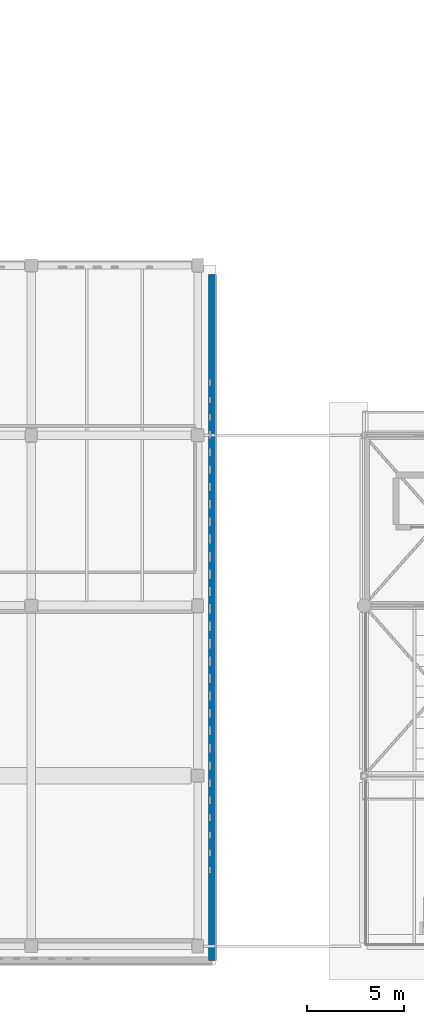
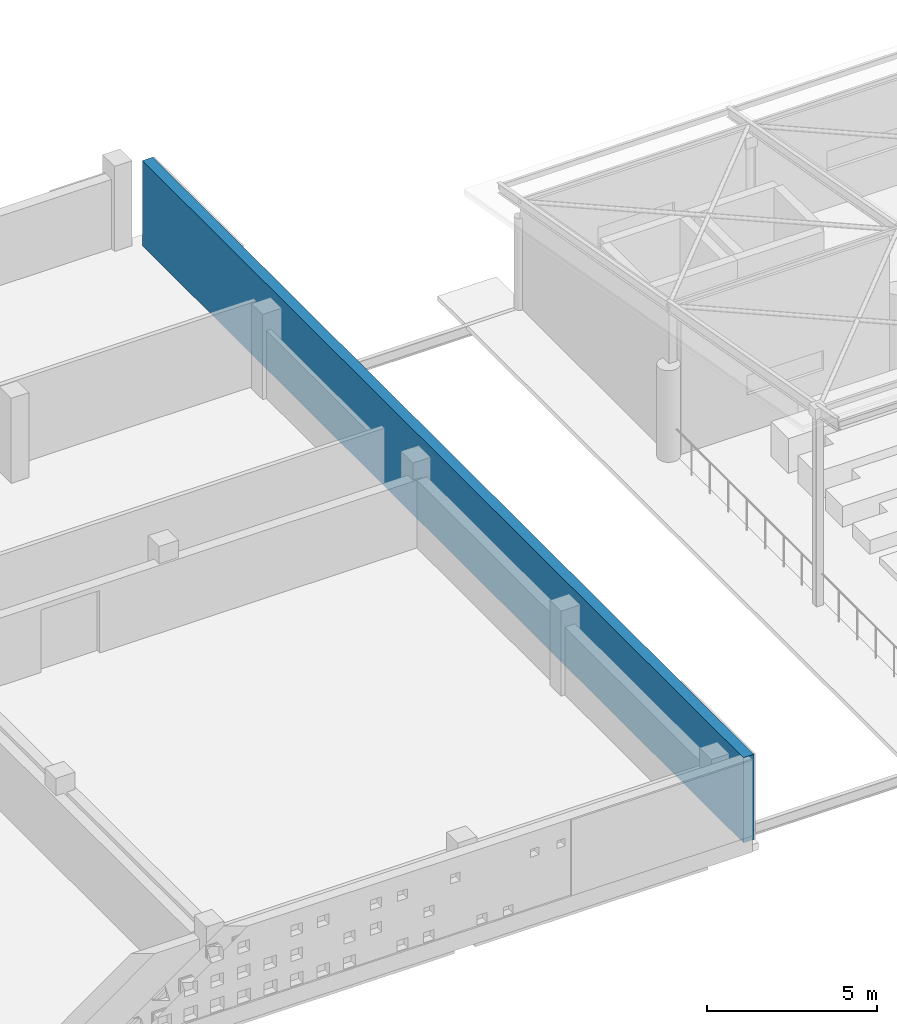
# One storey, part 25 of 34: 1 wall, 57 openings.
"""IFC4 building model written with IfcOpenShell, lengths in metres."""

from ifc_helpers import new_model, si_unit, direction, frame, frame_2d, origin, place, context, subcontext, project, spatial, rectangle, extrude, material, layer, layer_set, type_object, element, save


model = new_model("IFC4")

# Units and contexts
model_context = context("Model", 3, precision=1e-05, world=origin(), true_north=direction((0.0, 1.0)))
body_context = subcontext(model_context, "Body", "Model", "MODEL_VIEW")
ifc_project = project(units=[si_unit("LENGTHUNIT", "METRE"), si_unit("AREAUNIT", "SQUARE_METRE"), si_unit("VOLUMEUNIT", "CUBIC_METRE"), si_unit("PLANEANGLEUNIT", "RADIAN"), si_unit("MASSUNIT", "GRAM", prefix="KILO")], contexts=[model_context])

# Site, building, storey
site_placement = place(None, origin())
site = spatial("IfcSite", under=ifc_project, at=site_placement, CompositionType="ELEMENT")
building_placement = place(site_placement, origin())
building = spatial("IfcBuilding", under=site, at=building_placement, Name="Varnakota Cinema and Media Centre", CompositionType="ELEMENT")
storey_placement = place(building_placement, frame((0.0, 0.0, 19.050048828125)))
storey = spatial("IfcBuildingStorey", under=building, at=storey_placement, Name="L05", CompositionType="ELEMENT", Elevation=19.050048828125)

# Wall, openings
ifc_material = material(Name="Pale Tandur limestone cladding", Category="masonry")
ifc_layer = layer(ifc_material, 0.360107421875)
ifc_layer_set = layer_set([ifc_layer], Name="Pale Tandur limestone cladding")
wall_type = type_object("IfcWallType", Name="W-EXT-TANDUR-360", PredefinedType="SOLIDWALL", material=ifc_layer_set)
wall_placement = place(storey_placement, frame((43.739990234375, 34.699951171875, 0.0), z_axis=(0.0, 0.0, 1.0), x_axis=(0.0, -1.0, 0.0)))
wall = element("IfcWall", 1, at=wall_placement, inside=storey, type_object=wall_type, Name="L05 V4 pale Tandur stone monolith wall V4-E", PredefinedType="SOLIDWALL", context=body_context, shape_type="SweptSolid", body=[
    extrude(rectangle(XDim=35.43994140625, YDim=0.360107421875, at=frame_2d((17.719970703125, 0.0))), origin(), (0.0, 0.0, 1.0), 3.06005859375),
])
opening_1_placement = place(wall_placement, frame((5.419921875, 0.0, 1.260009765625)))
element("IfcOpeningElement", 2, at=opening_1_placement, cuts=wall, Name="Opening WP14", PredefinedType="OPENING", context=body_context, shape_type="SweptSolid", body=[
    extrude(rectangle(XDim=0.300048828125, YDim=0.300048828125, at=frame_2d((0.14990234375, 0.14990234375))), frame((0.0, 0.18017578125, 0.0), z_axis=(0.0, -1.0, 0.0), x_axis=(1.0, 0.0, 0.0)), (0.0, 0.0, 1.0), 0.360107421875),
])
opening_2_placement = place(wall_placement, frame((6.320068359375, 0.0, 2.159912109375)))
element("IfcOpeningElement", 3, at=opening_2_placement, cuts=wall, Name="Opening WP14", PredefinedType="OPENING", context=body_context, shape_type="SweptSolid", body=[
    extrude(rectangle(XDim=0.300048828125, YDim=0.300048828125, at=frame_2d((0.14990234375, 0.14990234375))), frame((0.0, 0.18017578125, 0.0), z_axis=(0.0, -1.0, 0.0), x_axis=(1.0, 0.0, 0.0)), (0.0, 0.0, 1.0), 0.360107421875),
])
opening_3_placement = place(wall_placement, frame((7.2099609375, 0.0, 2.159912109375)))
element("IfcOpeningElement", 4, at=opening_3_placement, cuts=wall, Name="Opening WP13", PredefinedType="OPENING", context=body_context, shape_type="SweptSolid", body=[
    extrude(rectangle(XDim=0.320068359375, YDim=0.320068359375, at=frame_2d((0.16015625, 0.16015625))), frame((0.0, 0.18017578125, 0.0), z_axis=(0.0, -1.0, 0.0), x_axis=(1.0, 0.0, 0.0)), (0.0, 0.0, 1.0), 0.360107421875),
])
opening_4_placement = place(wall_placement, frame((8.090087890625, 0.0, 0.360107421875)))
element("IfcOpeningElement", 5, at=opening_4_placement, cuts=wall, Name="Opening WP11", PredefinedType="OPENING", context=body_context, shape_type="SweptSolid", body=[
    extrude(rectangle(XDim=0.360107421875, YDim=0.360107421875, at=frame_2d((0.18017578125, 0.18017578125))), frame((0.0, 0.18017578125, 0.0), z_axis=(0.0, -1.0, 0.0), x_axis=(1.0, 0.0, 0.0)), (0.0, 0.0, 1.0), 0.360107421875),
])
opening_5_placement = place(wall_placement, frame((8.989990234375, 0.0, 0.360107421875)))
element("IfcOpeningElement", 6, at=opening_5_placement, cuts=wall, Name="Opening WP11", PredefinedType="OPENING", context=body_context, shape_type="SweptSolid", body=[
    extrude(rectangle(XDim=0.360107421875, YDim=0.360107421875, at=frame_2d((0.18017578125, 0.18017578125))), frame((0.0, 0.18017578125, 0.0), z_axis=(0.0, -1.0, 0.0), x_axis=(1.0, 0.0, 0.0)), (0.0, 0.0, 1.0), 0.360107421875),
])
opening_6_placement = place(wall_placement, frame((9.8798828125, 0.0, 1.260009765625)))
element("IfcOpeningElement", 7, at=opening_6_placement, cuts=wall, Name="Opening WP10", PredefinedType="OPENING", context=body_context, shape_type="SweptSolid", body=[
    extrude(rectangle(XDim=0.3798828125, YDim=0.3798828125, at=frame_2d((0.18994140625, 0.18994140625))), frame((0.0, 0.18017578125, 0.0), z_axis=(0.0, -1.0, 0.0), x_axis=(1.0, 0.0, 0.0)), (0.0, 0.0, 1.0), 0.360107421875),
])
opening_7_placement = place(wall_placement, frame((9.889892578125, 0.0, 2.159912109375)))
element("IfcOpeningElement", 8, at=opening_7_placement, cuts=wall, Name="Opening WP11", PredefinedType="OPENING", context=body_context, shape_type="SweptSolid", body=[
    extrude(rectangle(XDim=0.360107421875, YDim=0.360107421875, at=frame_2d((0.18017578125, 0.18017578125))), frame((0.0, 0.18017578125, 0.0), z_axis=(0.0, -1.0, 0.0), x_axis=(1.0, 0.0, 0.0)), (0.0, 0.0, 1.0), 0.360107421875),
])
opening_8_placement = place(wall_placement, frame((10.77001953125, 0.0, 0.360107421875)))
element("IfcOpeningElement", 9, at=opening_8_placement, cuts=wall, Name="Opening WP09", PredefinedType="OPENING", context=body_context, shape_type="SweptSolid", body=[
    extrude(rectangle(XDim=0.39990234375, YDim=0.39990234375, at=frame_2d((0.199951171875, 0.199951171875))), frame((0.0, 0.18017578125, 0.0), z_axis=(0.0, -1.0, 0.0), x_axis=(1.0, 0.0, 0.0)), (0.0, 0.0, 1.0), 0.360107421875),
])
opening_9_placement = place(wall_placement, frame((10.780029296875, 0.0, 1.260009765625)))
element("IfcOpeningElement", 10, at=opening_9_placement, cuts=wall, Name="Opening WP10", PredefinedType="OPENING", context=body_context, shape_type="SweptSolid", body=[
    extrude(rectangle(XDim=0.3798828125, YDim=0.3798828125, at=frame_2d((0.18994140625, 0.18994140625))), frame((0.0, 0.18017578125, 0.0), z_axis=(0.0, -1.0, 0.0), x_axis=(1.0, 0.0, 0.0)), (0.0, 0.0, 1.0), 0.360107421875),
])
opening_10_placement = place(wall_placement, frame((11.659912109375, 0.0, 0.360107421875)))
element("IfcOpeningElement", 11, at=opening_10_placement, cuts=wall, Name="Opening WP08", PredefinedType="OPENING", context=body_context, shape_type="SweptSolid", body=[
    extrude(rectangle(XDim=0.419921875, YDim=0.419921875, at=frame_2d((0.2099609375, 0.2099609375))), frame((0.0, 0.18017578125, 0.0), z_axis=(0.0, -1.0, 0.0), x_axis=(1.0, 0.0, 0.0)), (0.0, 0.0, 1.0), 0.360107421875),
])
opening_11_placement = place(wall_placement, frame((11.679931640625, 0.0, 2.159912109375)))
element("IfcOpeningElement", 12, at=opening_11_placement, cuts=wall, Name="Opening WP10", PredefinedType="OPENING", context=body_context, shape_type="SweptSolid", body=[
    extrude(rectangle(XDim=0.3798828125, YDim=0.3798828125, at=frame_2d((0.18994140625, 0.18994140625))), frame((0.0, 0.18017578125, 0.0), z_axis=(0.0, -1.0, 0.0), x_axis=(1.0, 0.0, 0.0)), (0.0, 0.0, 1.0), 0.360107421875),
])
opening_12_placement = place(wall_placement, frame((12.56005859375, 0.0, 0.360107421875)))
element("IfcOpeningElement", 13, at=opening_12_placement, cuts=wall, Name="Opening WP08", PredefinedType="OPENING", context=body_context, shape_type="SweptSolid", body=[
    extrude(rectangle(XDim=0.419921875, YDim=0.419921875, at=frame_2d((0.2099609375, 0.2099609375))), frame((0.0, 0.18017578125, 0.0), z_axis=(0.0, -1.0, 0.0), x_axis=(1.0, 0.0, 0.0)), (0.0, 0.0, 1.0), 0.360107421875),
])
opening_13_placement = place(wall_placement, frame((12.570068359375, 0.0, 1.260009765625)))
element("IfcOpeningElement", 14, at=opening_13_placement, cuts=wall, Name="Opening WP09", PredefinedType="OPENING", context=body_context, shape_type="SweptSolid", body=[
    extrude(rectangle(XDim=0.39990234375, YDim=0.39990234375, at=frame_2d((0.199951171875, 0.199951171875))), frame((0.0, 0.18017578125, 0.0), z_axis=(0.0, -1.0, 0.0), x_axis=(1.0, 0.0, 0.0)), (0.0, 0.0, 1.0), 0.360107421875),
])
opening_14_placement = place(wall_placement, frame((12.580078125, 0.0, 2.159912109375)))
element("IfcOpeningElement", 15, at=opening_14_placement, cuts=wall, Name="Opening WP10", PredefinedType="OPENING", context=body_context, shape_type="SweptSolid", body=[
    extrude(rectangle(XDim=0.3798828125, YDim=0.3798828125, at=frame_2d((0.18994140625, 0.18994140625))), frame((0.0, 0.18017578125, 0.0), z_axis=(0.0, -1.0, 0.0), x_axis=(1.0, 0.0, 0.0)), (0.0, 0.0, 1.0), 0.360107421875),
])
opening_15_placement = place(wall_placement, frame((13.449951171875, 0.0, 0.360107421875)))
element("IfcOpeningElement", 16, at=opening_15_placement, cuts=wall, Name="Opening WP07", PredefinedType="OPENING", context=body_context, shape_type="SweptSolid", body=[
    extrude(rectangle(XDim=0.43994140625, YDim=0.43994140625, at=frame_2d((0.219970703125, 0.219970703125))), frame((0.0, 0.18017578125, 0.0), z_axis=(0.0, -1.0, 0.0), x_axis=(1.0, 0.0, 0.0)), (0.0, 0.0, 1.0), 0.360107421875),
])
opening_16_placement = place(wall_placement, frame((13.4599609375, 0.0, 1.260009765625)))
element("IfcOpeningElement", 17, at=opening_16_placement, cuts=wall, Name="Opening WP08", PredefinedType="OPENING", context=body_context, shape_type="SweptSolid", body=[
    extrude(rectangle(XDim=0.419921875, YDim=0.419921875, at=frame_2d((0.2099609375, 0.2099609375))), frame((0.0, 0.18017578125, 0.0), z_axis=(0.0, -1.0, 0.0), x_axis=(1.0, 0.0, 0.0)), (0.0, 0.0, 1.0), 0.360107421875),
])
opening_17_placement = place(wall_placement, frame((14.340087890625, 0.0, 0.360107421875)))
element("IfcOpeningElement", 18, at=opening_17_placement, cuts=wall, Name="Opening WP06", PredefinedType="OPENING", context=body_context, shape_type="SweptSolid", body=[
    extrude(rectangle(XDim=0.4599609375, YDim=0.4599609375, at=frame_2d((0.22998046875, 0.22998046875))), frame((0.0, 0.18017578125, 0.0), z_axis=(0.0, -1.0, 0.0), x_axis=(1.0, 0.0, 0.0)), (0.0, 0.0, 1.0), 0.360107421875),
])
opening_18_placement = place(wall_placement, frame((14.360107421875, 0.0, 1.260009765625)))
element("IfcOpeningElement", 19, at=opening_18_placement, cuts=wall, Name="Opening WP08", PredefinedType="OPENING", context=body_context, shape_type="SweptSolid", body=[
    extrude(rectangle(XDim=0.419921875, YDim=0.419921875, at=frame_2d((0.2099609375, 0.2099609375))), frame((0.0, 0.18017578125, 0.0), z_axis=(0.0, -1.0, 0.0), x_axis=(1.0, 0.0, 0.0)), (0.0, 0.0, 1.0), 0.360107421875),
])
opening_19_placement = place(wall_placement, frame((14.3701171875, 0.0, 2.159912109375)))
element("IfcOpeningElement", 20, at=opening_19_placement, cuts=wall, Name="Opening WP09", PredefinedType="OPENING", context=body_context, shape_type="SweptSolid", body=[
    extrude(rectangle(XDim=0.39990234375, YDim=0.39990234375, at=frame_2d((0.199951171875, 0.199951171875))), frame((0.0, 0.18017578125, 0.0), z_axis=(0.0, -1.0, 0.0), x_axis=(1.0, 0.0, 0.0)), (0.0, 0.0, 1.0), 0.360107421875),
])
opening_20_placement = place(wall_placement, frame((15.239990234375, 0.0, 0.360107421875)))
element("IfcOpeningElement", 21, at=opening_20_placement, cuts=wall, Name="Opening WP06", PredefinedType="OPENING", context=body_context, shape_type="SweptSolid", body=[
    extrude(rectangle(XDim=0.4599609375, YDim=0.4599609375, at=frame_2d((0.22998046875, 0.22998046875))), frame((0.0, 0.18017578125, 0.0), z_axis=(0.0, -1.0, 0.0), x_axis=(1.0, 0.0, 0.0)), (0.0, 0.0, 1.0), 0.360107421875),
])
opening_21_placement = place(wall_placement, frame((15.25, 0.0, 1.260009765625)))
element("IfcOpeningElement", 22, at=opening_21_placement, cuts=wall, Name="Opening WP07", PredefinedType="OPENING", context=body_context, shape_type="SweptSolid", body=[
    extrude(rectangle(XDim=0.43994140625, YDim=0.43994140625, at=frame_2d((0.219970703125, 0.219970703125))), frame((0.0, 0.18017578125, 0.0), z_axis=(0.0, -1.0, 0.0), x_axis=(1.0, 0.0, 0.0)), (0.0, 0.0, 1.0), 0.360107421875),
])
opening_22_placement = place(wall_placement, frame((15.260009765625, 0.0, 2.159912109375)))
element("IfcOpeningElement", 23, at=opening_22_placement, cuts=wall, Name="Opening WP08", PredefinedType="OPENING", context=body_context, shape_type="SweptSolid", body=[
    extrude(rectangle(XDim=0.419921875, YDim=0.419921875, at=frame_2d((0.2099609375, 0.2099609375))), frame((0.0, 0.18017578125, 0.0), z_axis=(0.0, -1.0, 0.0), x_axis=(1.0, 0.0, 0.0)), (0.0, 0.0, 1.0), 0.360107421875),
])
opening_23_placement = place(wall_placement, frame((16.139892578125, 0.0, 0.360107421875)))
element("IfcOpeningElement", 24, at=opening_23_placement, cuts=wall, Name="Opening WP06", PredefinedType="OPENING", context=body_context, shape_type="SweptSolid", body=[
    extrude(rectangle(XDim=0.4599609375, YDim=0.4599609375, at=frame_2d((0.22998046875, 0.22998046875))), frame((0.0, 0.18017578125, 0.0), z_axis=(0.0, -1.0, 0.0), x_axis=(1.0, 0.0, 0.0)), (0.0, 0.0, 1.0), 0.360107421875),
])
opening_24_placement = place(wall_placement, frame((16.14990234375, 0.0, 1.260009765625)))
element("IfcOpeningElement", 25, at=opening_24_placement, cuts=wall, Name="Opening WP07", PredefinedType="OPENING", context=body_context, shape_type="SweptSolid", body=[
    extrude(rectangle(XDim=0.43994140625, YDim=0.43994140625, at=frame_2d((0.219970703125, 0.219970703125))), frame((0.0, 0.18017578125, 0.0), z_axis=(0.0, -1.0, 0.0), x_axis=(1.0, 0.0, 0.0)), (0.0, 0.0, 1.0), 0.360107421875),
])
opening_25_placement = place(wall_placement, frame((16.159912109375, 0.0, 2.159912109375)))
element("IfcOpeningElement", 26, at=opening_25_placement, cuts=wall, Name="Opening WP08", PredefinedType="OPENING", context=body_context, shape_type="SweptSolid", body=[
    extrude(rectangle(XDim=0.419921875, YDim=0.419921875, at=frame_2d((0.2099609375, 0.2099609375))), frame((0.0, 0.18017578125, 0.0), z_axis=(0.0, -1.0, 0.0), x_axis=(1.0, 0.0, 0.0)), (0.0, 0.0, 1.0), 0.360107421875),
])
opening_26_placement = place(wall_placement, frame((17.0400390625, 0.0, 0.360107421875)))
element("IfcOpeningElement", 27, at=opening_26_placement, cuts=wall, Name="Opening WP06", PredefinedType="OPENING", context=body_context, shape_type="SweptSolid", body=[
    extrude(rectangle(XDim=0.4599609375, YDim=0.4599609375, at=frame_2d((0.22998046875, 0.22998046875))), frame((0.0, 0.18017578125, 0.0), z_axis=(0.0, -1.0, 0.0), x_axis=(1.0, 0.0, 0.0)), (0.0, 0.0, 1.0), 0.360107421875),
])
opening_27_placement = place(wall_placement, frame((17.050048828125, 0.0, 1.260009765625)))
element("IfcOpeningElement", 28, at=opening_27_placement, cuts=wall, Name="Opening WP07", PredefinedType="OPENING", context=body_context, shape_type="SweptSolid", body=[
    extrude(rectangle(XDim=0.43994140625, YDim=0.43994140625, at=frame_2d((0.219970703125, 0.219970703125))), frame((0.0, 0.18017578125, 0.0), z_axis=(0.0, -1.0, 0.0), x_axis=(1.0, 0.0, 0.0)), (0.0, 0.0, 1.0), 0.360107421875),
])
opening_28_placement = place(wall_placement, frame((17.06005859375, 0.0, 2.159912109375)))
element("IfcOpeningElement", 29, at=opening_28_placement, cuts=wall, Name="Opening WP08", PredefinedType="OPENING", context=body_context, shape_type="SweptSolid", body=[
    extrude(rectangle(XDim=0.419921875, YDim=0.419921875, at=frame_2d((0.2099609375, 0.2099609375))), frame((0.0, 0.18017578125, 0.0), z_axis=(0.0, -1.0, 0.0), x_axis=(1.0, 0.0, 0.0)), (0.0, 0.0, 1.0), 0.360107421875),
])
opening_29_placement = place(wall_placement, frame((17.93994140625, 0.0, 0.360107421875)))
element("IfcOpeningElement", 30, at=opening_29_placement, cuts=wall, Name="Opening WP06", PredefinedType="OPENING", context=body_context, shape_type="SweptSolid", body=[
    extrude(rectangle(XDim=0.4599609375, YDim=0.4599609375, at=frame_2d((0.22998046875, 0.22998046875))), frame((0.0, 0.18017578125, 0.0), z_axis=(0.0, -1.0, 0.0), x_axis=(1.0, 0.0, 0.0)), (0.0, 0.0, 1.0), 0.360107421875),
])
opening_30_placement = place(wall_placement, frame((17.949951171875, 0.0, 1.260009765625)))
element("IfcOpeningElement", 31, at=opening_30_placement, cuts=wall, Name="Opening WP07", PredefinedType="OPENING", context=body_context, shape_type="SweptSolid", body=[
    extrude(rectangle(XDim=0.43994140625, YDim=0.43994140625, at=frame_2d((0.219970703125, 0.219970703125))), frame((0.0, 0.18017578125, 0.0), z_axis=(0.0, -1.0, 0.0), x_axis=(1.0, 0.0, 0.0)), (0.0, 0.0, 1.0), 0.360107421875),
])
opening_31_placement = place(wall_placement, frame((17.9599609375, 0.0, 2.159912109375)))
element("IfcOpeningElement", 32, at=opening_31_placement, cuts=wall, Name="Opening WP08", PredefinedType="OPENING", context=body_context, shape_type="SweptSolid", body=[
    extrude(rectangle(XDim=0.419921875, YDim=0.419921875, at=frame_2d((0.2099609375, 0.2099609375))), frame((0.0, 0.18017578125, 0.0), z_axis=(0.0, -1.0, 0.0), x_axis=(1.0, 0.0, 0.0)), (0.0, 0.0, 1.0), 0.360107421875),
])
opening_32_placement = place(wall_placement, frame((18.840087890625, 0.0, 0.360107421875)))
element("IfcOpeningElement", 33, at=opening_32_placement, cuts=wall, Name="Opening WP06", PredefinedType="OPENING", context=body_context, shape_type="SweptSolid", body=[
    extrude(rectangle(XDim=0.4599609375, YDim=0.4599609375, at=frame_2d((0.22998046875, 0.22998046875))), frame((0.0, 0.18017578125, 0.0), z_axis=(0.0, -1.0, 0.0), x_axis=(1.0, 0.0, 0.0)), (0.0, 0.0, 1.0), 0.360107421875),
])
opening_33_placement = place(wall_placement, frame((18.85009765625, 0.0, 1.260009765625)))
element("IfcOpeningElement", 34, at=opening_33_placement, cuts=wall, Name="Opening WP07", PredefinedType="OPENING", context=body_context, shape_type="SweptSolid", body=[
    extrude(rectangle(XDim=0.43994140625, YDim=0.43994140625, at=frame_2d((0.219970703125, 0.219970703125))), frame((0.0, 0.18017578125, 0.0), z_axis=(0.0, -1.0, 0.0), x_axis=(1.0, 0.0, 0.0)), (0.0, 0.0, 1.0), 0.360107421875),
])
opening_34_placement = place(wall_placement, frame((18.860107421875, 0.0, 2.159912109375)))
element("IfcOpeningElement", 35, at=opening_34_placement, cuts=wall, Name="Opening WP08", PredefinedType="OPENING", context=body_context, shape_type="SweptSolid", body=[
    extrude(rectangle(XDim=0.419921875, YDim=0.419921875, at=frame_2d((0.2099609375, 0.2099609375))), frame((0.0, 0.18017578125, 0.0), z_axis=(0.0, -1.0, 0.0), x_axis=(1.0, 0.0, 0.0)), (0.0, 0.0, 1.0), 0.360107421875),
])
opening_35_placement = place(wall_placement, frame((19.739990234375, 0.0, 0.360107421875)))
element("IfcOpeningElement", 36, at=opening_35_placement, cuts=wall, Name="Opening WP06", PredefinedType="OPENING", context=body_context, shape_type="SweptSolid", body=[
    extrude(rectangle(XDim=0.4599609375, YDim=0.4599609375, at=frame_2d((0.22998046875, 0.22998046875))), frame((0.0, 0.18017578125, 0.0), z_axis=(0.0, -1.0, 0.0), x_axis=(1.0, 0.0, 0.0)), (0.0, 0.0, 1.0), 0.360107421875),
])
opening_36_placement = place(wall_placement, frame((19.75, 0.0, 1.260009765625)))
element("IfcOpeningElement", 37, at=opening_36_placement, cuts=wall, Name="Opening WP07", PredefinedType="OPENING", context=body_context, shape_type="SweptSolid", body=[
    extrude(rectangle(XDim=0.43994140625, YDim=0.43994140625, at=frame_2d((0.219970703125, 0.219970703125))), frame((0.0, 0.18017578125, 0.0), z_axis=(0.0, -1.0, 0.0), x_axis=(1.0, 0.0, 0.0)), (0.0, 0.0, 1.0), 0.360107421875),
])
opening_37_placement = place(wall_placement, frame((19.760009765625, 0.0, 2.159912109375)))
element("IfcOpeningElement", 38, at=opening_37_placement, cuts=wall, Name="Opening WP08", PredefinedType="OPENING", context=body_context, shape_type="SweptSolid", body=[
    extrude(rectangle(XDim=0.419921875, YDim=0.419921875, at=frame_2d((0.2099609375, 0.2099609375))), frame((0.0, 0.18017578125, 0.0), z_axis=(0.0, -1.0, 0.0), x_axis=(1.0, 0.0, 0.0)), (0.0, 0.0, 1.0), 0.360107421875),
])
opening_38_placement = place(wall_placement, frame((20.639892578125, 0.0, 0.360107421875)))
element("IfcOpeningElement", 39, at=opening_38_placement, cuts=wall, Name="Opening WP06", PredefinedType="OPENING", context=body_context, shape_type="SweptSolid", body=[
    extrude(rectangle(XDim=0.4599609375, YDim=0.4599609375, at=frame_2d((0.22998046875, 0.22998046875))), frame((0.0, 0.18017578125, 0.0), z_axis=(0.0, -1.0, 0.0), x_axis=(1.0, 0.0, 0.0)), (0.0, 0.0, 1.0), 0.360107421875),
])
opening_39_placement = place(wall_placement, frame((20.659912109375, 0.0, 1.260009765625)))
element("IfcOpeningElement", 40, at=opening_39_placement, cuts=wall, Name="Opening WP08", PredefinedType="OPENING", context=body_context, shape_type="SweptSolid", body=[
    extrude(rectangle(XDim=0.419921875, YDim=0.419921875, at=frame_2d((0.2099609375, 0.2099609375))), frame((0.0, 0.18017578125, 0.0), z_axis=(0.0, -1.0, 0.0), x_axis=(1.0, 0.0, 0.0)), (0.0, 0.0, 1.0), 0.360107421875),
])
opening_40_placement = place(wall_placement, frame((20.669921875, 0.0, 2.159912109375)))
element("IfcOpeningElement", 41, at=opening_40_placement, cuts=wall, Name="Opening WP09", PredefinedType="OPENING", context=body_context, shape_type="SweptSolid", body=[
    extrude(rectangle(XDim=0.39990234375, YDim=0.39990234375, at=frame_2d((0.199951171875, 0.199951171875))), frame((0.0, 0.18017578125, 0.0), z_axis=(0.0, -1.0, 0.0), x_axis=(1.0, 0.0, 0.0)), (0.0, 0.0, 1.0), 0.360107421875),
])
opening_41_placement = place(wall_placement, frame((21.550048828125, 0.0, 0.360107421875)))
element("IfcOpeningElement", 42, at=opening_41_placement, cuts=wall, Name="Opening WP07", PredefinedType="OPENING", context=body_context, shape_type="SweptSolid", body=[
    extrude(rectangle(XDim=0.43994140625, YDim=0.43994140625, at=frame_2d((0.219970703125, 0.219970703125))), frame((0.0, 0.18017578125, 0.0), z_axis=(0.0, -1.0, 0.0), x_axis=(1.0, 0.0, 0.0)), (0.0, 0.0, 1.0), 0.360107421875),
])
opening_42_placement = place(wall_placement, frame((21.56005859375, 0.0, 1.260009765625)))
element("IfcOpeningElement", 43, at=opening_42_placement, cuts=wall, Name="Opening WP08", PredefinedType="OPENING", context=body_context, shape_type="SweptSolid", body=[
    extrude(rectangle(XDim=0.419921875, YDim=0.419921875, at=frame_2d((0.2099609375, 0.2099609375))), frame((0.0, 0.18017578125, 0.0), z_axis=(0.0, -1.0, 0.0), x_axis=(1.0, 0.0, 0.0)), (0.0, 0.0, 1.0), 0.360107421875),
])
opening_43_placement = place(wall_placement, frame((22.4599609375, 0.0, 0.360107421875)))
element("IfcOpeningElement", 44, at=opening_43_placement, cuts=wall, Name="Opening WP08", PredefinedType="OPENING", context=body_context, shape_type="SweptSolid", body=[
    extrude(rectangle(XDim=0.419921875, YDim=0.419921875, at=frame_2d((0.2099609375, 0.2099609375))), frame((0.0, 0.18017578125, 0.0), z_axis=(0.0, -1.0, 0.0), x_axis=(1.0, 0.0, 0.0)), (0.0, 0.0, 1.0), 0.360107421875),
])
opening_44_placement = place(wall_placement, frame((22.47998046875, 0.0, 2.159912109375)))
element("IfcOpeningElement", 45, at=opening_44_placement, cuts=wall, Name="Opening WP10", PredefinedType="OPENING", context=body_context, shape_type="SweptSolid", body=[
    extrude(rectangle(XDim=0.3798828125, YDim=0.3798828125, at=frame_2d((0.18994140625, 0.18994140625))), frame((0.0, 0.18017578125, 0.0), z_axis=(0.0, -1.0, 0.0), x_axis=(1.0, 0.0, 0.0)), (0.0, 0.0, 1.0), 0.360107421875),
])
opening_45_placement = place(wall_placement, frame((23.3701171875, 0.0, 1.260009765625)))
element("IfcOpeningElement", 46, at=opening_45_placement, cuts=wall, Name="Opening WP09", PredefinedType="OPENING", context=body_context, shape_type="SweptSolid", body=[
    extrude(rectangle(XDim=0.39990234375, YDim=0.39990234375, at=frame_2d((0.199951171875, 0.199951171875))), frame((0.0, 0.18017578125, 0.0), z_axis=(0.0, -1.0, 0.0), x_axis=(1.0, 0.0, 0.0)), (0.0, 0.0, 1.0), 0.360107421875),
])
opening_46_placement = place(wall_placement, frame((23.3798828125, 0.0, 2.159912109375)))
element("IfcOpeningElement", 47, at=opening_46_placement, cuts=wall, Name="Opening WP10", PredefinedType="OPENING", context=body_context, shape_type="SweptSolid", body=[
    extrude(rectangle(XDim=0.3798828125, YDim=0.3798828125, at=frame_2d((0.18994140625, 0.18994140625))), frame((0.0, 0.18017578125, 0.0), z_axis=(0.0, -1.0, 0.0), x_axis=(1.0, 0.0, 0.0)), (0.0, 0.0, 1.0), 0.360107421875),
])
opening_47_placement = place(wall_placement, frame((24.27001953125, 0.0, 0.360107421875)))
element("IfcOpeningElement", 48, at=opening_47_placement, cuts=wall, Name="Opening WP09", PredefinedType="OPENING", context=body_context, shape_type="SweptSolid", body=[
    extrude(rectangle(XDim=0.39990234375, YDim=0.39990234375, at=frame_2d((0.199951171875, 0.199951171875))), frame((0.0, 0.18017578125, 0.0), z_axis=(0.0, -1.0, 0.0), x_axis=(1.0, 0.0, 0.0)), (0.0, 0.0, 1.0), 0.360107421875),
])
opening_48_placement = place(wall_placement, frame((24.280029296875, 0.0, 1.260009765625)))
element("IfcOpeningElement", 49, at=opening_48_placement, cuts=wall, Name="Opening WP10", PredefinedType="OPENING", context=body_context, shape_type="SweptSolid", body=[
    extrude(rectangle(XDim=0.3798828125, YDim=0.3798828125, at=frame_2d((0.18994140625, 0.18994140625))), frame((0.0, 0.18017578125, 0.0), z_axis=(0.0, -1.0, 0.0), x_axis=(1.0, 0.0, 0.0)), (0.0, 0.0, 1.0), 0.360107421875),
])
opening_49_placement = place(wall_placement, frame((25.179931640625, 0.0, 0.360107421875)))
element("IfcOpeningElement", 50, at=opening_49_placement, cuts=wall, Name="Opening WP10", PredefinedType="OPENING", context=body_context, shape_type="SweptSolid", body=[
    extrude(rectangle(XDim=0.3798828125, YDim=0.3798828125, at=frame_2d((0.18994140625, 0.18994140625))), frame((0.0, 0.18017578125, 0.0), z_axis=(0.0, -1.0, 0.0), x_axis=(1.0, 0.0, 0.0)), (0.0, 0.0, 1.0), 0.360107421875),
])
opening_50_placement = place(wall_placement, frame((25.18994140625, 0.0, 2.159912109375)))
element("IfcOpeningElement", 51, at=opening_50_placement, cuts=wall, Name="Opening WP11", PredefinedType="OPENING", context=body_context, shape_type="SweptSolid", body=[
    extrude(rectangle(XDim=0.360107421875, YDim=0.360107421875, at=frame_2d((0.18017578125, 0.18017578125))), frame((0.0, 0.18017578125, 0.0), z_axis=(0.0, -1.0, 0.0), x_axis=(1.0, 0.0, 0.0)), (0.0, 0.0, 1.0), 0.360107421875),
])
opening_51_placement = place(wall_placement, frame((26.090087890625, 0.0, 1.260009765625)))
element("IfcOpeningElement", 52, at=opening_51_placement, cuts=wall, Name="Opening WP11", PredefinedType="OPENING", context=body_context, shape_type="SweptSolid", body=[
    extrude(rectangle(XDim=0.360107421875, YDim=0.360107421875, at=frame_2d((0.18017578125, 0.18017578125))), frame((0.0, 0.18017578125, 0.0), z_axis=(0.0, -1.0, 0.0), x_axis=(1.0, 0.0, 0.0)), (0.0, 0.0, 1.0), 0.360107421875),
])
opening_52_placement = place(wall_placement, frame((26.989990234375, 0.0, 0.360107421875)))
element("IfcOpeningElement", 53, at=opening_52_placement, cuts=wall, Name="Opening WP11", PredefinedType="OPENING", context=body_context, shape_type="SweptSolid", body=[
    extrude(rectangle(XDim=0.360107421875, YDim=0.360107421875, at=frame_2d((0.18017578125, 0.18017578125))), frame((0.0, 0.18017578125, 0.0), z_axis=(0.0, -1.0, 0.0), x_axis=(1.0, 0.0, 0.0)), (0.0, 0.0, 1.0), 0.360107421875),
])
opening_53_placement = place(wall_placement, frame((27.0, 0.0, 1.260009765625)))
element("IfcOpeningElement", 54, at=opening_53_placement, cuts=wall, Name="Opening WP12", PredefinedType="OPENING", context=body_context, shape_type="SweptSolid", body=[
    extrude(rectangle(XDim=0.340087890625, YDim=0.340087890625, at=frame_2d((0.169921875, 0.169921875))), frame((0.0, 0.18017578125, 0.0), z_axis=(0.0, -1.0, 0.0), x_axis=(1.0, 0.0, 0.0)), (0.0, 0.0, 1.0), 0.360107421875),
])
opening_54_placement = place(wall_placement, frame((27.909912109375, 0.0, 2.159912109375)))
element("IfcOpeningElement", 55, at=opening_54_placement, cuts=wall, Name="Opening WP13", PredefinedType="OPENING", context=body_context, shape_type="SweptSolid", body=[
    extrude(rectangle(XDim=0.320068359375, YDim=0.320068359375, at=frame_2d((0.16015625, 0.16015625))), frame((0.0, 0.18017578125, 0.0), z_axis=(0.0, -1.0, 0.0), x_axis=(1.0, 0.0, 0.0)), (0.0, 0.0, 1.0), 0.360107421875),
])
opening_55_placement = place(wall_placement, frame((28.820068359375, 0.0, 2.159912109375)))
element("IfcOpeningElement", 56, at=opening_55_placement, cuts=wall, Name="Opening WP14", PredefinedType="OPENING", context=body_context, shape_type="SweptSolid", body=[
    extrude(rectangle(XDim=0.300048828125, YDim=0.300048828125, at=frame_2d((0.14990234375, 0.14990234375))), frame((0.0, 0.18017578125, 0.0), z_axis=(0.0, -1.0, 0.0), x_axis=(1.0, 0.0, 0.0)), (0.0, 0.0, 1.0), 0.360107421875),
])
opening_56_placement = place(wall_placement, frame((29.719970703125, 0.0, 0.360107421875)))
element("IfcOpeningElement", 57, at=opening_56_placement, cuts=wall, Name="Opening WP14", PredefinedType="OPENING", context=body_context, shape_type="SweptSolid", body=[
    extrude(rectangle(XDim=0.300048828125, YDim=0.300048828125, at=frame_2d((0.14990234375, 0.14990234375))), frame((0.0, 0.18017578125, 0.0), z_axis=(0.0, -1.0, 0.0), x_axis=(1.0, 0.0, 0.0)), (0.0, 0.0, 1.0), 0.360107421875),
])
opening_57_placement = place(wall_placement, frame((30.6298828125, 0.0, 0.360107421875)))
element("IfcOpeningElement", 58, at=opening_57_placement, cuts=wall, Name="Opening WP15", PredefinedType="OPENING", context=body_context, shape_type="SweptSolid", body=[
    extrude(rectangle(XDim=0.280029296875, YDim=0.280029296875, at=frame_2d((0.14013671875, 0.14013671875))), frame((0.0, 0.18017578125, 0.0), z_axis=(0.0, -1.0, 0.0), x_axis=(1.0, 0.0, 0.0)), (0.0, 0.0, 1.0), 0.360107421875),
])

save(model, "model.ifc")
